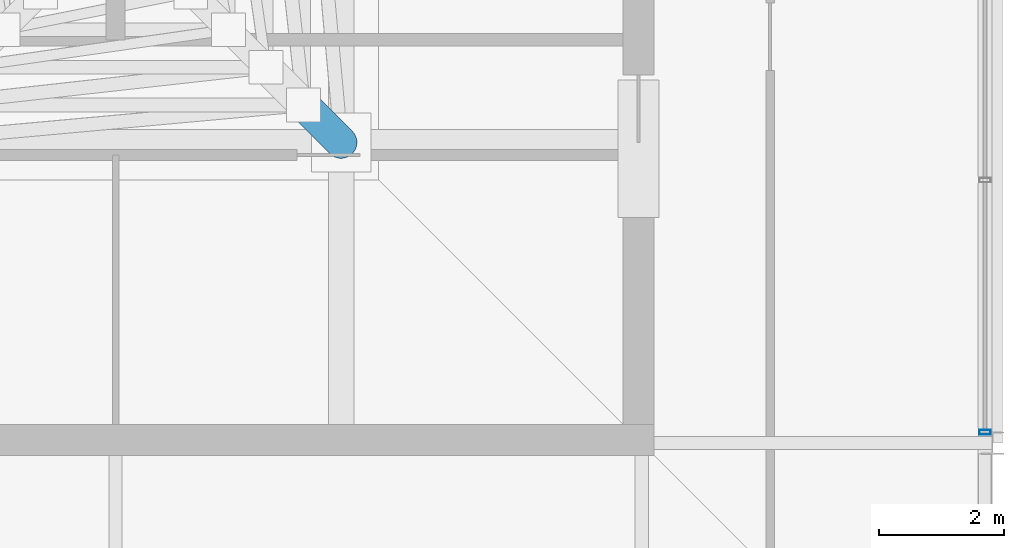
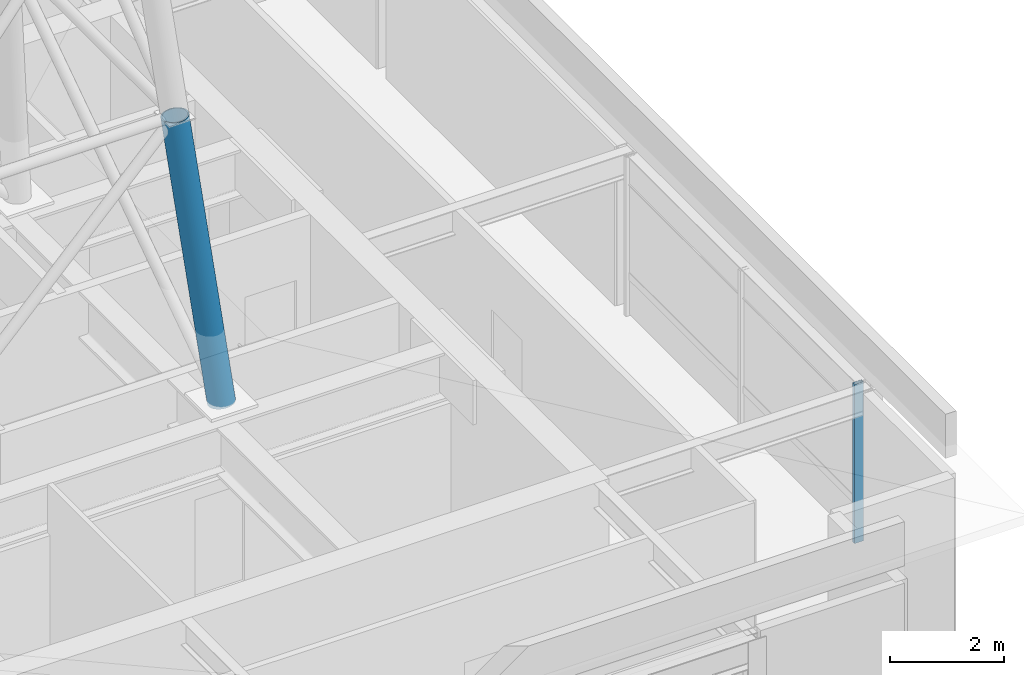
# One storey, part 6 of 13: 2 members, 1 element without a shape of its own.
"""IFC4 building model written with IfcOpenShell, lengths in metres."""

from ifc_helpers import new_model, si_unit, direction, frame, origin, origin_2d, place, context, subcontext, project, spatial, hollow_rectangle, hollow_circle, extrude, material, layer, layer_set, material_profile, profile_set, type_object, element, aggregate, save


model = new_model("IFC4")

# Units and contexts
model_context = context("Model", 3, precision=1e-05, world=origin(), true_north=direction((0.0, 1.0)))
body_context = subcontext(model_context, "Body", "Model", "MODEL_VIEW")
ifc_project = project(units=[si_unit("LENGTHUNIT", "METRE"), si_unit("AREAUNIT", "SQUARE_METRE"), si_unit("VOLUMEUNIT", "CUBIC_METRE"), si_unit("PLANEANGLEUNIT", "RADIAN"), si_unit("MASSUNIT", "GRAM", prefix="KILO")], contexts=[model_context])

# Site, building, storey
site_placement = place(None, origin())
site = spatial("IfcSite", under=ifc_project, at=site_placement, CompositionType="ELEMENT")
building_placement = place(site_placement, origin())
building = spatial("IfcBuilding", under=site, at=building_placement, Name="Drelvath Grand Hotel", CompositionType="ELEMENT")
storey_placement = place(building_placement, frame((0.0, 0.0, 323.199951171875)))
storey = spatial("IfcBuildingStorey", under=building, at=storey_placement, Name="L84", CompositionType="ELEMENT", Elevation=323.199951171875)

# Member
ifc_material_1 = material(Name="Steel ASTM A501 Gr B", Category="steel")
ifc_material_profile_1 = material_profile(ifc_material_1, hollow_circle(Radius=0.25390625, WallThickness=0.025390625, at=origin_2d()), Name="CHS508X25")
ifc_profile_set_1 = profile_set([ifc_material_profile_1], Name="Steel ASTM A501 Gr B")
member_type_1 = type_object("IfcMemberType", Name="Broadcast Mast Leg Post CHS508X25", PredefinedType="POST", material=ifc_profile_set_1)
member_1_placement = place(storey_placement, frame((3.60009765625, 23.39990234375, 3.800048828125), z_axis=(-0.099030553911, 0.099030553911, 0.990144382797), x_axis=(-0.707106781187, -0.707106781187, 0.0)))
element("IfcMember", 1, at=member_1_placement, inside=storey, type_object=member_type_1, Name="Broadcast Mast Leg Post T1-SE", PredefinedType="POST", context=body_context, shape_type="SweptSolid", body=[
    extrude(hollow_circle(Radius=0.25390625, WallThickness=0.025390625, at=origin_2d()), origin(), (0.0, 0.0, 1.0), 6.059814453125),
])

# Curtain wall, member
ifc_material_2 = material(Name="Pale-Metal Anodised Aluminium Crown Frame", Category="aluminium")
ifc_layer = layer(ifc_material_2, 0.199951171875)
ifc_layer_set = layer_set([ifc_layer], Name="Pale-Metal Anodised Aluminium Crown Frame")
curtain_wall_type = type_object("IfcCurtainWallType", Name="Stick Curtain Wall CW-06 Pale-Metal Crown Clerestory", PredefinedType="NOTDEFINED", material=ifc_layer_set)
curtain_wall_placement = place(storey_placement, origin())
curtain_wall = element("IfcCurtainWall", 2, at=curtain_wall_placement, inside=storey, type_object=curtain_wall_type, Name="L84 CW-06 Curtain Wall CW06-L84-E", PredefinedType="NOTDEFINED")
ifc_material_profile_2 = material_profile(ifc_material_2, hollow_rectangle(XDim=0.074951171875, YDim=0.179931640625, WallThickness=0.0048828125, at=origin_2d()), Name="HSS180X75X5")
ifc_profile_set_2 = profile_set([ifc_material_profile_2], Name="Pale-Metal Anodised Aluminium Crown Frame")
member_type_2 = type_object("IfcMemberType", Name="Curtain Wall Vertical Mullion CW-06 HSS180X75X5", PredefinedType="MULLION", material=ifc_profile_set_2)
member_2_placement = place(storey_placement, frame((13.8798828125, 18.77392578125, 0.0), z_axis=(0.0, 0.0, 1.0), x_axis=(0.0, 1.0, 0.0)))
member_2 = element("IfcMember", 3, at=member_2_placement, type_object=member_type_2, Name="CW06-L84-E Mullion 3", PredefinedType="MULLION", context=body_context, shape_type="SweptSolid", body=[
    extrude(hollow_rectangle(XDim=0.074951171875, YDim=0.179931640625, WallThickness=0.0048828125, at=origin_2d()), origin(), (0.0, 0.0, 1.0), 3.420166015625),
])
aggregate(curtain_wall, [member_2])

save(model, "model.ifc")
